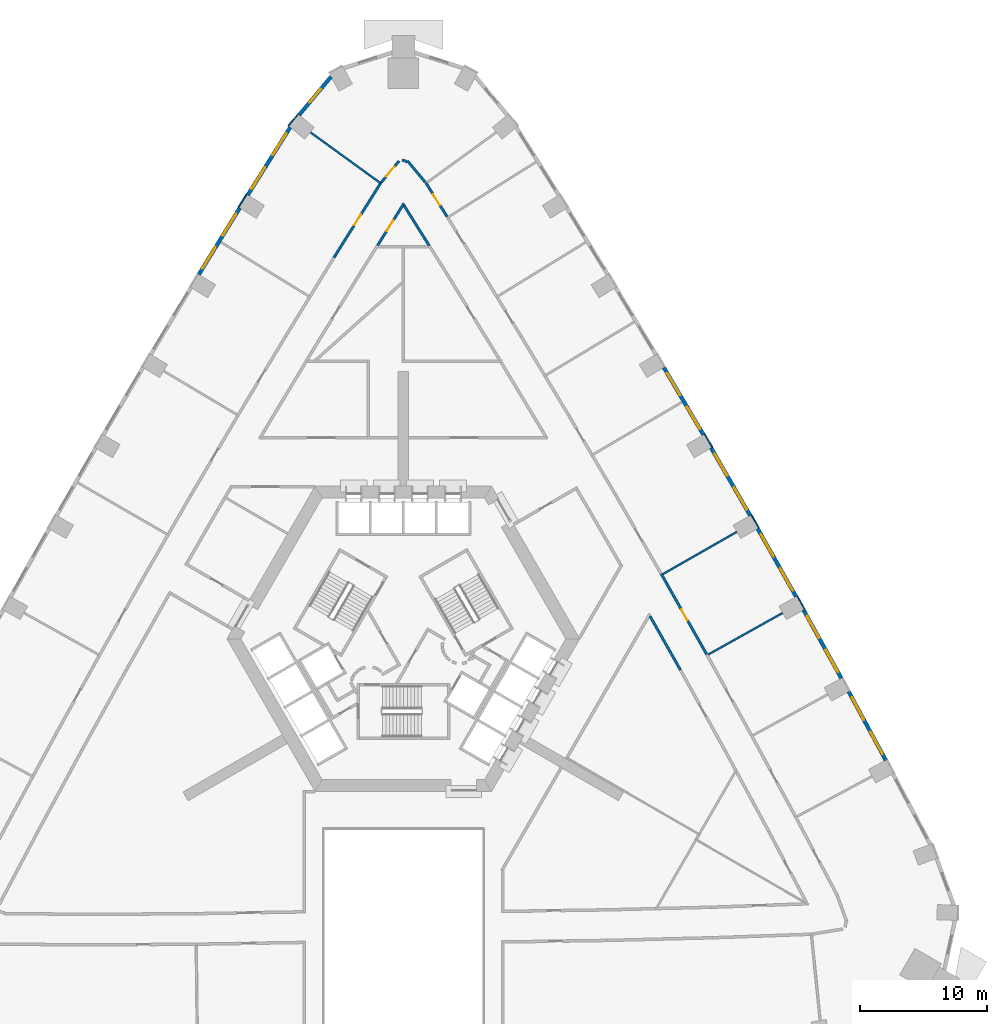
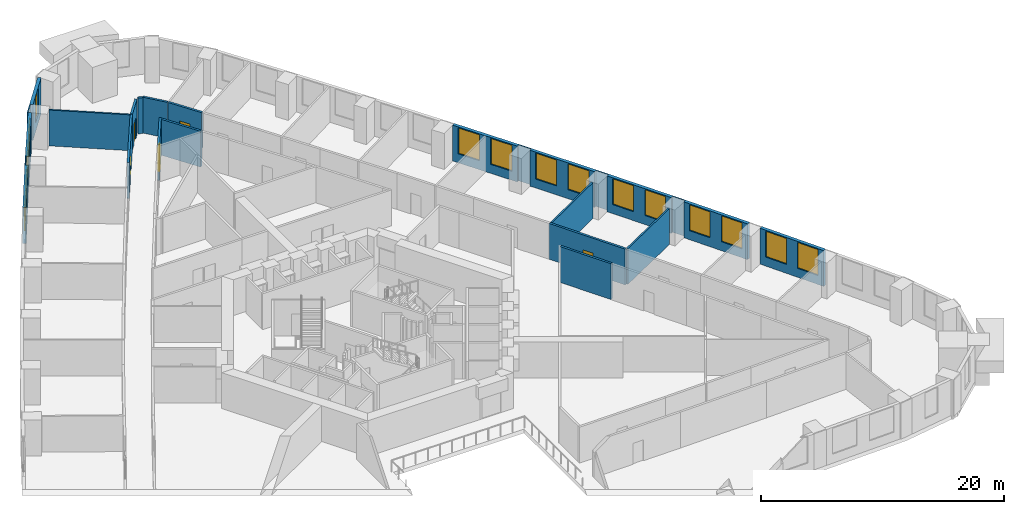
# One storey, part 11 of 15: 25 walls, 15 windows, 5 doors, 20 openings.
"""IFC4 building model written with IfcOpenShell, lengths in metres."""

from ifc_helpers import new_model, si_unit, direction, frame, frame_2d, origin, place, context, subcontext, project, spatial, rectangle, extrude, material, layer, layer_set, type_object, element, fill, save


model = new_model("IFC4")

# Units and contexts
model_context = context("Model", 3, precision=1e-05, world=origin(), true_north=direction((0.0, 1.0)))
body_context = subcontext(model_context, "Body", "Model", "MODEL_VIEW")
ifc_project = project(units=[si_unit("LENGTHUNIT", "METRE"), si_unit("AREAUNIT", "SQUARE_METRE"), si_unit("VOLUMEUNIT", "CUBIC_METRE"), si_unit("PLANEANGLEUNIT", "RADIAN"), si_unit("MASSUNIT", "GRAM", prefix="KILO")], contexts=[model_context])

# Site, building, storey
site_placement = place(None, origin())
site = spatial("IfcSite", under=ifc_project, at=site_placement, CompositionType="ELEMENT")
building_placement = place(site_placement, origin())
building = spatial("IfcBuilding", under=site, at=building_placement, Name="Entoto Arch Interchange Tower", CompositionType="ELEMENT")
storey_placement = place(building_placement, frame((0.0, 0.0, 77.0)))
storey = spatial("IfcBuildingStorey", under=building, at=storey_placement, Name="L16", CompositionType="ELEMENT", Elevation=77.0)

# Walls
ifc_material_1 = material(Name="Gypsum board partition on steel studs", Category="steel")
ifc_layer_1 = layer(ifc_material_1, 0.14990234375)
ifc_layer_set_1 = layer_set([ifc_layer_1], Name="Gypsum board partition on steel studs")
wall_type_1 = type_object("IfcWallType", Name="PARTITION 150", PredefinedType="PARTITIONING", material=ifc_layer_set_1)
wall_1_placement = place(storey_placement, frame((23.950927734375, 1.26611328125, 0.0), z_axis=(0.0, 0.0, 1.0), x_axis=(0.872786908026, 0.488101437385, 0.0)))
element("IfcWall", 1, at=wall_1_placement, inside=storey, type_object=wall_type_1, Name="wall:L16:p135", PredefinedType="PARTITIONING", context=body_context, shape_type="SweptSolid", body=[
    extrude(rectangle(XDim=6.680908203125, YDim=0.14990234375, at=frame_2d((3.34033203125, 0.0))), origin(), (0.0, 0.0, 1.0), 3.60009765625),
])
wall_2_placement = place(storey_placement, frame((20.382080078125, 7.580078125, 0.0), z_axis=(0.0, 0.0, 1.0), x_axis=(0.868256636797, 0.496115321935, 0.0)))
element("IfcWall", 2, at=wall_2_placement, inside=storey, type_object=wall_type_1, Name="wall:L16:p136", PredefinedType="PARTITIONING", context=body_context, shape_type="SweptSolid", body=[
    extrude(rectangle(XDim=6.679931640625, YDim=0.14990234375, at=frame_2d((3.33984375, 0.0))), origin(), (0.0, 0.0, 1.0), 3.60009765625),
])
wall_3_placement = place(storey_placement, frame((-1.7880859375, 38.2890625, 0.0), z_axis=(0.0, 0.0, 1.0), x_axis=(-0.809417495555, 0.587233614408, 0.0)))
element("IfcWall", 3, at=wall_3_placement, inside=storey, type_object=wall_type_1, Name="wall:L16:p142", PredefinedType="PARTITIONING", context=body_context, shape_type="SweptSolid", body=[
    extrude(rectangle(XDim=6.796142578125, YDim=0.14990234375, at=frame_2d((3.39794921875, 0.0))), origin(), (0.0, 0.0, 1.0), 3.60009765625),
])
ifc_layer_2 = layer(ifc_material_1, 0.199951171875)
ifc_layer_set_2 = layer_set([ifc_layer_2], Name="Gypsum board partition on steel studs")
wall_type_2 = type_object("IfcWallType", Name="PARTITION 200", PredefinedType="PARTITIONING", material=ifc_layer_set_2)
wall_4_placement = place(storey_placement, frame((2.031005859375, 33.385009765625, 0.0), z_axis=(0.0, 0.0, 1.0), x_axis=(-0.53130100335, 0.847183122967, 0.0)))
element("IfcWall", 4, at=wall_4_placement, inside=storey, type_object=wall_type_2, Name="wall:L16:p018", PredefinedType="PARTITIONING", context=body_context, shape_type="SweptSolid", body=[
    extrude(rectangle(XDim=3.722900390625, YDim=0.199951171875, at=frame_2d((1.861328125, 0.0))), origin(), (0.0, 0.0, 1.0), 3.60009765625),
])

# Wall, opening, door
wall_5_placement = place(storey_placement, frame((0.052978515625, 36.7080078125, 0.0), z_axis=(0.0, 0.0, 1.0), x_axis=(-0.53130190932, -0.847182554797, 0.0)))
wall_5 = element("IfcWall", 5, at=wall_5_placement, inside=storey, type_object=wall_type_2, Name="wall:L16:p019", PredefinedType="PARTITIONING", context=body_context, shape_type="SweptSolid", body=[
    extrude(rectangle(XDim=3.92236328125, YDim=0.199951171875, at=frame_2d((1.961181640625, 0.0))), origin(), (0.0, 0.0, 1.0), 3.60009765625),
])
opening_1_placement = place(wall_5_placement, frame((1.56201171875, 0.0, 0.0)))
opening_1 = element("IfcOpeningElement", 6, at=opening_1_placement, cuts=wall_5, Name="Opening L16-D28", PredefinedType="OPENING", context=body_context, shape_type="SweptSolid", body=[
    extrude(rectangle(XDim=1.0, YDim=2.10009765625, at=frame_2d((0.5, 1.050048828125))), frame((0.0, 0.10986328125, 0.0), z_axis=(0.0, -1.0, 0.0), x_axis=(1.0, 0.0, 0.0)), (0.0, 0.0, 1.0), 0.219970703125),
])
ifc_material_2 = material(Name="Timber door leaf in Steel S235 frame", Category="steel")
door_type = type_object("IfcDoorType", Name="DOOR DS-10 1000x2100", OperationType="SINGLE_SWING_LEFT", PredefinedType="DOOR", material=ifc_material_2)
door_1_placement = place(opening_1_placement, origin())
door_1 = element("IfcDoor", 7, at=door_1_placement, inside=storey, type_object=door_type, Name="door:L16:28", OperationType="SINGLE_SWING_LEFT", OverallHeight=2.10009765625, OverallWidth=1.0, PredefinedType="DOOR", context=body_context, shape_type="SweptSolid", body=[
    extrude(rectangle(XDim=1.0, YDim=2.10009765625, at=frame_2d((0.5, 1.050048828125))), frame((0.0, 0.02490234375, 0.0), z_axis=(0.0, -1.0, 0.0), x_axis=(1.0, 0.0, 0.0)), (0.0, 0.0, 1.0), 0.050048828125),
])
fill(opening_1, door_1)

# Wall
wall_6_placement = place(storey_placement, frame((21.77001953125, 0.0458984375, 0.0), z_axis=(0.0, 0.0, 1.0), x_axis=(-0.492148137455, 0.870511465059, 0.0)))
element("IfcWall", 8, at=wall_6_placement, inside=storey, type_object=wall_type_2, Name="wall:L16:p024", PredefinedType="PARTITIONING", context=body_context, shape_type="SweptSolid", body=[
    extrude(rectangle(XDim=4.868408203125, YDim=0.199951171875, at=frame_2d((2.43408203125, 0.0))), origin(), (0.0, 0.0, 1.0), 3.60009765625),
])

# Wall, opening, door
wall_7_placement = place(storey_placement, frame((20.259033203125, 7.595947265625, 0.0), z_axis=(0.0, 0.0, 1.0), x_axis=(0.492021755503, -0.870582903641, 0.0)))
wall_7 = element("IfcWall", 9, at=wall_7_placement, inside=storey, type_object=wall_type_2, Name="wall:L16:p047", PredefinedType="PARTITIONING", context=body_context, shape_type="SweptSolid", body=[
    extrude(rectangle(XDim=7.25146484375, YDim=0.199951171875, at=frame_2d((3.625732421875, 0.0))), origin(), (0.0, 0.0, 1.0), 3.60009765625),
])
opening_2_placement = place(wall_7_placement, frame((3.200927734375, 0.0, 0.0)))
opening_2 = element("IfcOpeningElement", 10, at=opening_2_placement, cuts=wall_7, Name="Opening L16-D05", PredefinedType="OPENING", context=body_context, shape_type="SweptSolid", body=[
    extrude(rectangle(XDim=1.0, YDim=2.10009765625, at=frame_2d((0.5, 1.050048828125))), frame((0.0, 0.10986328125, 0.0), z_axis=(0.0, -1.0, 0.0), x_axis=(1.0, 0.0, 0.0)), (0.0, 0.0, 1.0), 0.219970703125),
])
door_2_placement = place(opening_2_placement, origin())
door_2 = element("IfcDoor", 11, at=door_2_placement, inside=storey, type_object=door_type, Name="door:L16:05", OperationType="SINGLE_SWING_LEFT", OverallHeight=2.10009765625, OverallWidth=1.0, PredefinedType="DOOR", context=body_context, shape_type="SweptSolid", body=[
    extrude(rectangle(XDim=1.0, YDim=2.10009765625, at=frame_2d((0.5, 1.050048828125))), frame((0.0, 0.02490234375, 0.0), z_axis=(0.0, -1.0, 0.0), x_axis=(1.0, 0.0, 0.0)), (0.0, 0.0, 1.0), 0.050048828125),
])
fill(opening_2, door_2)

wall_8_placement = place(storey_placement, frame((1.77490234375, 38.31005859375, 0.0), z_axis=(0.0, 0.0, 1.0), x_axis=(0.531324164807, -0.847168597088, 0.0)))
wall_8 = element("IfcWall", 12, at=wall_8_placement, inside=storey, type_object=wall_type_2, Name="wall:L16:p056", PredefinedType="PARTITIONING", context=body_context, shape_type="SweptSolid", body=[
    extrude(rectangle(XDim=3.128173828125, YDim=0.199951171875, at=frame_2d((1.56396484375, 0.0))), origin(), (0.0, 0.0, 1.0), 3.60009765625),
])
opening_3_placement = place(wall_8_placement, frame((1.06396484375, 0.0, 0.0)))
opening_3 = element("IfcOpeningElement", 13, at=opening_3_placement, cuts=wall_8, Name="Opening L16-D10", PredefinedType="OPENING", context=body_context, shape_type="SweptSolid", body=[
    extrude(rectangle(XDim=1.0, YDim=2.10009765625, at=frame_2d((0.5, 1.050048828125))), frame((0.0, 0.10986328125, 0.0), z_axis=(0.0, -1.0, 0.0), x_axis=(1.0, 0.0, 0.0)), (0.0, 0.0, 1.0), 0.219970703125),
])
door_3_placement = place(opening_3_placement, origin())
door_3 = element("IfcDoor", 14, at=door_3_placement, inside=storey, type_object=door_type, Name="door:L16:10", OperationType="SINGLE_SWING_LEFT", OverallHeight=2.10009765625, OverallWidth=1.0, PredefinedType="DOOR", context=body_context, shape_type="SweptSolid", body=[
    extrude(rectangle(XDim=1.0, YDim=2.10009765625, at=frame_2d((0.5, 1.050048828125))), frame((0.0, 0.02490234375, 0.0), z_axis=(0.0, -1.0, 0.0), x_axis=(1.0, 0.0, 0.0)), (0.0, 0.0, 1.0), 0.050048828125),
])
fill(opening_3, door_3)

wall_9_placement = place(storey_placement, frame((-1.72412109375, 38.364990234375, 0.0), z_axis=(0.0, 0.0, 1.0), x_axis=(0.64036162185, 0.768073559799, 0.0)))
wall_9 = element("IfcWall", 15, at=wall_9_placement, inside=storey, type_object=wall_type_2, Name="wall:L16:p057", PredefinedType="PARTITIONING", context=body_context, shape_type="SweptSolid", body=[
    extrude(rectangle(XDim=2.167724609375, YDim=0.199951171875, at=frame_2d((1.083984375, 0.0))), origin(), (0.0, 0.0, 1.0), 3.60009765625),
])
opening_4_placement = place(wall_9_placement, frame((0.583984375, 0.0, 0.0)))
opening_4 = element("IfcOpeningElement", 16, at=opening_4_placement, cuts=wall_9, Name="Opening L16-D11", PredefinedType="OPENING", context=body_context, shape_type="SweptSolid", body=[
    extrude(rectangle(XDim=1.0, YDim=2.10009765625, at=frame_2d((0.5, 1.050048828125))), frame((0.0, 0.10986328125, 0.0), z_axis=(0.0, -1.0, 0.0), x_axis=(1.0, 0.0, 0.0)), (0.0, 0.0, 1.0), 0.219970703125),
])
door_4_placement = place(opening_4_placement, origin())
door_4 = element("IfcDoor", 17, at=door_4_placement, inside=storey, type_object=door_type, Name="door:L16:11", OperationType="SINGLE_SWING_LEFT", OverallHeight=2.10009765625, OverallWidth=1.0, PredefinedType="DOOR", context=body_context, shape_type="SweptSolid", body=[
    extrude(rectangle(XDim=1.0, YDim=2.10009765625, at=frame_2d((0.5, 1.050048828125))), frame((0.0, 0.02490234375, 0.0), z_axis=(0.0, -1.0, 0.0), x_axis=(1.0, 0.0, 0.0)), (0.0, 0.0, 1.0), 0.050048828125),
])
fill(opening_4, door_4)

# Walls
wall_10_placement = place(storey_placement, frame((-0.094970703125, 40.112060546875, 0.0), z_axis=(0.0, 0.0, 1.0), x_axis=(0.952282288042, -0.305218682065, 0.0)))
element("IfcWall", 18, at=wall_10_placement, inside=storey, type_object=wall_type_2, Name="wall:L16:p058", PredefinedType="PARTITIONING", context=body_context, shape_type="SweptSolid", body=[
    extrude(rectangle(XDim=0.419921875, YDim=0.199951171875, at=frame_2d((0.2099609375, 0.0))), origin(), (0.0, 0.0, 1.0), 3.60009765625),
])
wall_11_placement = place(storey_placement, frame((0.3359375, 40.030029296875, 0.0), z_axis=(0.0, 0.0, 1.0), x_axis=(0.64036162185, -0.768073559799, 0.0)))
element("IfcWall", 19, at=wall_11_placement, inside=storey, type_object=wall_type_2, Name="wall:L16:p059", PredefinedType="PARTITIONING", context=body_context, shape_type="SweptSolid", body=[
    extrude(rectangle(XDim=2.167724609375, YDim=0.199951171875, at=frame_2d((1.083984375, 0.0))), origin(), (0.0, 0.0, 1.0), 3.60009765625),
])

# Wall, opening, door
wall_12_placement = place(storey_placement, frame((-5.449951171875, 32.450927734375, 0.0), z_axis=(0.0, 0.0, 1.0), x_axis=(0.531388870359, 0.847128011849, 0.0)))
wall_12 = element("IfcWall", 20, at=wall_12_placement, inside=storey, type_object=wall_type_2, Name="wall:L16:p061", PredefinedType="PARTITIONING", context=body_context, shape_type="SweptSolid", body=[
    extrude(rectangle(XDim=6.99072265625, YDim=0.199951171875, at=frame_2d((3.495361328125, 0.0))), origin(), (0.0, 0.0, 1.0), 3.60009765625),
])
opening_5_placement = place(wall_12_placement, frame((2.99609375, 0.0, 0.0)))
opening_5 = element("IfcOpeningElement", 21, at=opening_5_placement, cuts=wall_12, Name="Opening L16-D12", PredefinedType="OPENING", context=body_context, shape_type="SweptSolid", body=[
    extrude(rectangle(XDim=1.0, YDim=2.10009765625, at=frame_2d((0.5, 1.050048828125))), frame((0.0, 0.10986328125, 0.0), z_axis=(0.0, -1.0, 0.0), x_axis=(1.0, 0.0, 0.0)), (0.0, 0.0, 1.0), 0.219970703125),
])
door_5_placement = place(opening_5_placement, origin())
door_5 = element("IfcDoor", 22, at=door_5_placement, inside=storey, type_object=door_type, Name="door:L16:12", OperationType="SINGLE_SWING_LEFT", OverallHeight=2.10009765625, OverallWidth=1.0, PredefinedType="DOOR", context=body_context, shape_type="SweptSolid", body=[
    extrude(rectangle(XDim=1.0, YDim=2.10009765625, at=frame_2d((0.5, 1.050048828125))), frame((0.0, 0.02490234375, 0.0), z_axis=(0.0, -1.0, 0.0), x_axis=(1.0, 0.0, 0.0)), (0.0, 0.0, 1.0), 0.050048828125),
])
fill(opening_5, door_5)

# Wall, openings, windows
ifc_material_3 = material(Name="Welded tuff (ignimbrite) cladding, warm buff", Category="masonry")
ifc_layer_3 = layer(ifc_material_3, 0.300048828125)
ifc_layer_set_3 = layer_set([ifc_layer_3], Name="Welded tuff (ignimbrite) cladding, warm buff")
wall_type_3 = type_object("IfcWallType", Name="STONE INFILL WALL 300", PredefinedType="STANDARD", material=ifc_layer_set_3)
wall_13_placement = place(storey_placement, frame((37.903076171875, -7.035888671875, 0.0), z_axis=(0.0, 0.0, 1.0), x_axis=(-0.476174096946, 0.879351027404, 0.0)))
wall_13 = element("IfcWall", 23, at=wall_13_placement, inside=storey, type_object=wall_type_3, Name="Facade wall NE-02 L16", PredefinedType="STANDARD", context=body_context, shape_type="SweptSolid", body=[
    extrude(rectangle(XDim=6.130615234375, YDim=0.300048828125, at=frame_2d((3.0654296875, 0.0))), origin(), (0.0, 0.0, 1.0), 3.60009765625),
])
opening_6_placement = place(wall_13_placement, frame((0.532958984375, 0.0, 0.89990234375)))
opening_6 = element("IfcOpeningElement", 24, at=opening_6_placement, cuts=wall_13, Name="Opening WO-C", PredefinedType="OPENING", context=body_context, shape_type="SweptSolid", body=[
    extrude(rectangle(XDim=2.0, YDim=2.60009765625, at=frame_2d((1.0, 1.300048828125))), frame((0.0, 0.16015625, 0.0), z_axis=(0.0, -1.0, 0.0), x_axis=(1.0, 0.0, 0.0)), (0.0, 0.0, 1.0), 0.320068359375),
])
opening_7_placement = place(wall_13_placement, frame((3.597900390625, 0.0, 0.89990234375)))
opening_7 = element("IfcOpeningElement", 25, at=opening_7_placement, cuts=wall_13, Name="Opening WO-C", PredefinedType="OPENING", context=body_context, shape_type="SweptSolid", body=[
    extrude(rectangle(XDim=2.0, YDim=2.60009765625, at=frame_2d((1.0, 1.300048828125))), frame((0.0, 0.16015625, 0.0), z_axis=(0.0, -1.0, 0.0), x_axis=(1.0, 0.0, 0.0)), (0.0, 0.0, 1.0), 0.320068359375),
])
ifc_material_4 = material(Name="Clear glass, low-e double glazed", Category="glass")
window_type_1 = type_object("IfcWindowType", Name="WINDOW WO-C 2000x2600", PartitioningType="DOUBLE_PANEL_VERTICAL", PredefinedType="WINDOW", material=ifc_material_4)
window_1_placement = place(opening_6_placement, origin())
window_1 = element("IfcWindow", 26, at=window_1_placement, inside=storey, type_object=window_type_1, Name="Window WO-C NE-02 L16", OverallHeight=2.60009765625, OverallWidth=2.0, PartitioningType="SINGLE_PANEL", PredefinedType="WINDOW", context=body_context, shape_type="SweptSolid", body=[
    extrude(rectangle(XDim=2.0, YDim=2.60009765625, at=frame_2d((1.0, 1.300048828125))), frame((0.0, 0.030029296875, 0.0), z_axis=(0.0, -1.0, 0.0), x_axis=(1.0, 0.0, 0.0)), (0.0, 0.0, 1.0), 0.06005859375),
])
fill(opening_6, window_1)
window_2_placement = place(opening_7_placement, origin())
window_2 = element("IfcWindow", 27, at=window_2_placement, inside=storey, type_object=window_type_1, Name="Window WO-C NE-02 L16", OverallHeight=2.60009765625, OverallWidth=2.0, PartitioningType="SINGLE_PANEL", PredefinedType="WINDOW", context=body_context, shape_type="SweptSolid", body=[
    extrude(rectangle(XDim=2.0, YDim=2.60009765625, at=frame_2d((1.0, 1.300048828125))), frame((0.0, 0.030029296875, 0.0), z_axis=(0.0, -1.0, 0.0), x_axis=(1.0, 0.0, 0.0)), (0.0, 0.0, 1.0), 0.06005859375),
])
fill(opening_7, window_2)

wall_14_placement = place(storey_placement, frame((34.408935546875, -0.594970703125, 0.0), z_axis=(0.0, 0.0, 1.0), x_axis=(-0.484025698618, 0.875053782963, 0.0)))
wall_14 = element("IfcWall", 28, at=wall_14_placement, inside=storey, type_object=wall_type_3, Name="Facade wall NE-03 L16", PredefinedType="STANDARD", context=body_context, shape_type="SweptSolid", body=[
    extrude(rectangle(XDim=6.1298828125, YDim=0.300048828125, at=frame_2d((3.06494140625, 0.0))), origin(), (0.0, 0.0, 1.0), 3.60009765625),
])
opening_8_placement = place(wall_14_placement, frame((0.531982421875, 0.0, 0.89990234375)))
opening_8 = element("IfcOpeningElement", 29, at=opening_8_placement, cuts=wall_14, Name="Opening WO-C", PredefinedType="OPENING", context=body_context, shape_type="SweptSolid", body=[
    extrude(rectangle(XDim=2.0, YDim=2.60009765625, at=frame_2d((1.0, 1.300048828125))), frame((0.0, 0.16015625, 0.0), z_axis=(0.0, -1.0, 0.0), x_axis=(1.0, 0.0, 0.0)), (0.0, 0.0, 1.0), 0.320068359375),
])
opening_9_placement = place(wall_14_placement, frame((3.596923828125, 0.0, 0.89990234375)))
opening_9 = element("IfcOpeningElement", 30, at=opening_9_placement, cuts=wall_14, Name="Opening WO-C", PredefinedType="OPENING", context=body_context, shape_type="SweptSolid", body=[
    extrude(rectangle(XDim=2.0, YDim=2.60009765625, at=frame_2d((1.0, 1.300048828125))), frame((0.0, 0.16015625, 0.0), z_axis=(0.0, -1.0, 0.0), x_axis=(1.0, 0.0, 0.0)), (0.0, 0.0, 1.0), 0.320068359375),
])
window_3_placement = place(opening_8_placement, origin())
window_3 = element("IfcWindow", 31, at=window_3_placement, inside=storey, type_object=window_type_1, Name="Window WO-C NE-03 L16", OverallHeight=2.60009765625, OverallWidth=2.0, PartitioningType="SINGLE_PANEL", PredefinedType="WINDOW", context=body_context, shape_type="SweptSolid", body=[
    extrude(rectangle(XDim=2.0, YDim=2.60009765625, at=frame_2d((1.0, 1.300048828125))), frame((0.0, 0.030029296875, 0.0), z_axis=(0.0, -1.0, 0.0), x_axis=(1.0, 0.0, 0.0)), (0.0, 0.0, 1.0), 0.06005859375),
])
fill(opening_8, window_3)
window_4_placement = place(opening_9_placement, origin())
window_4 = element("IfcWindow", 32, at=window_4_placement, inside=storey, type_object=window_type_1, Name="Window WO-C NE-03 L16", OverallHeight=2.60009765625, OverallWidth=2.0, PartitioningType="SINGLE_PANEL", PredefinedType="WINDOW", context=body_context, shape_type="SweptSolid", body=[
    extrude(rectangle(XDim=2.0, YDim=2.60009765625, at=frame_2d((1.0, 1.300048828125))), frame((0.0, 0.030029296875, 0.0), z_axis=(0.0, -1.0, 0.0), x_axis=(1.0, 0.0, 0.0)), (0.0, 0.0, 1.0), 0.06005859375),
])
fill(opening_9, window_4)

wall_15_placement = place(storey_placement, frame((30.85693359375, 5.81396484375, 0.0), z_axis=(0.0, 0.0, 1.0), x_axis=(-0.492097935349, 0.870539845168, 0.0)))
wall_15 = element("IfcWall", 33, at=wall_15_placement, inside=storey, type_object=wall_type_3, Name="Facade wall NE-04 L16", PredefinedType="STANDARD", context=body_context, shape_type="SweptSolid", body=[
    extrude(rectangle(XDim=6.130615234375, YDim=0.300048828125, at=frame_2d((3.0654296875, 0.0))), origin(), (0.0, 0.0, 1.0), 3.60009765625),
])
opening_10_placement = place(wall_15_placement, frame((0.532958984375, 0.0, 0.89990234375)))
opening_10 = element("IfcOpeningElement", 34, at=opening_10_placement, cuts=wall_15, Name="Opening WO-C", PredefinedType="OPENING", context=body_context, shape_type="SweptSolid", body=[
    extrude(rectangle(XDim=2.0, YDim=2.60009765625, at=frame_2d((1.0, 1.300048828125))), frame((0.0, 0.16015625, 0.0), z_axis=(0.0, -1.0, 0.0), x_axis=(1.0, 0.0, 0.0)), (0.0, 0.0, 1.0), 0.320068359375),
])
opening_11_placement = place(wall_15_placement, frame((3.597900390625, 0.0, 0.89990234375)))
opening_11 = element("IfcOpeningElement", 35, at=opening_11_placement, cuts=wall_15, Name="Opening WO-C", PredefinedType="OPENING", context=body_context, shape_type="SweptSolid", body=[
    extrude(rectangle(XDim=2.0, YDim=2.60009765625, at=frame_2d((1.0, 1.300048828125))), frame((0.0, 0.16015625, 0.0), z_axis=(0.0, -1.0, 0.0), x_axis=(1.0, 0.0, 0.0)), (0.0, 0.0, 1.0), 0.320068359375),
])
window_5_placement = place(opening_10_placement, origin())
window_5 = element("IfcWindow", 36, at=window_5_placement, inside=storey, type_object=window_type_1, Name="Window WO-C NE-04 L16", OverallHeight=2.60009765625, OverallWidth=2.0, PartitioningType="SINGLE_PANEL", PredefinedType="WINDOW", context=body_context, shape_type="SweptSolid", body=[
    extrude(rectangle(XDim=2.0, YDim=2.60009765625, at=frame_2d((1.0, 1.300048828125))), frame((0.0, 0.030029296875, 0.0), z_axis=(0.0, -1.0, 0.0), x_axis=(1.0, 0.0, 0.0)), (0.0, 0.0, 1.0), 0.06005859375),
])
fill(opening_10, window_5)
window_6_placement = place(opening_11_placement, origin())
window_6 = element("IfcWindow", 37, at=window_6_placement, inside=storey, type_object=window_type_1, Name="Window WO-C NE-04 L16", OverallHeight=2.60009765625, OverallWidth=2.0, PartitioningType="SINGLE_PANEL", PredefinedType="WINDOW", context=body_context, shape_type="SweptSolid", body=[
    extrude(rectangle(XDim=2.0, YDim=2.60009765625, at=frame_2d((1.0, 1.300048828125))), frame((0.0, 0.030029296875, 0.0), z_axis=(0.0, -1.0, 0.0), x_axis=(1.0, 0.0, 0.0)), (0.0, 0.0, 1.0), 0.06005859375),
])
fill(opening_11, window_6)

wall_16_placement = place(storey_placement, frame((27.24609375, 12.19091796875, 0.0), z_axis=(0.0, 0.0, 1.0), x_axis=(-0.499998239139, 0.866026420416, 0.0)))
wall_16 = element("IfcWall", 38, at=wall_16_placement, inside=storey, type_object=wall_type_3, Name="Facade wall NE-05 L16", PredefinedType="STANDARD", context=body_context, shape_type="SweptSolid", body=[
    extrude(rectangle(XDim=6.13037109375, YDim=0.300048828125, at=frame_2d((3.065185546875, 0.0))), origin(), (0.0, 0.0, 1.0), 3.60009765625),
])
opening_12_placement = place(wall_16_placement, frame((0.532958984375, 0.0, 0.89990234375)))
opening_12 = element("IfcOpeningElement", 39, at=opening_12_placement, cuts=wall_16, Name="Opening WO-C", PredefinedType="OPENING", context=body_context, shape_type="SweptSolid", body=[
    extrude(rectangle(XDim=2.0, YDim=2.60009765625, at=frame_2d((1.0, 1.300048828125))), frame((0.0, 0.16015625, 0.0), z_axis=(0.0, -1.0, 0.0), x_axis=(1.0, 0.0, 0.0)), (0.0, 0.0, 1.0), 0.320068359375),
])
opening_13_placement = place(wall_16_placement, frame((3.597900390625, 0.0, 0.89990234375)))
opening_13 = element("IfcOpeningElement", 40, at=opening_13_placement, cuts=wall_16, Name="Opening WO-C", PredefinedType="OPENING", context=body_context, shape_type="SweptSolid", body=[
    extrude(rectangle(XDim=2.0, YDim=2.60009765625, at=frame_2d((1.0, 1.300048828125))), frame((0.0, 0.16015625, 0.0), z_axis=(0.0, -1.0, 0.0), x_axis=(1.0, 0.0, 0.0)), (0.0, 0.0, 1.0), 0.320068359375),
])
window_7_placement = place(opening_12_placement, origin())
window_7 = element("IfcWindow", 41, at=window_7_placement, inside=storey, type_object=window_type_1, Name="Window WO-C NE-05 L16", OverallHeight=2.60009765625, OverallWidth=2.0, PartitioningType="SINGLE_PANEL", PredefinedType="WINDOW", context=body_context, shape_type="SweptSolid", body=[
    extrude(rectangle(XDim=2.0, YDim=2.60009765625, at=frame_2d((1.0, 1.300048828125))), frame((0.0, 0.030029296875, 0.0), z_axis=(0.0, -1.0, 0.0), x_axis=(1.0, 0.0, 0.0)), (0.0, 0.0, 1.0), 0.06005859375),
])
fill(opening_12, window_7)
window_8_placement = place(opening_13_placement, origin())
window_8 = element("IfcWindow", 42, at=window_8_placement, inside=storey, type_object=window_type_1, Name="Window WO-C NE-05 L16", OverallHeight=2.60009765625, OverallWidth=2.0, PartitioningType="SINGLE_PANEL", PredefinedType="WINDOW", context=body_context, shape_type="SweptSolid", body=[
    extrude(rectangle(XDim=2.0, YDim=2.60009765625, at=frame_2d((1.0, 1.300048828125))), frame((0.0, 0.030029296875, 0.0), z_axis=(0.0, -1.0, 0.0), x_axis=(1.0, 0.0, 0.0)), (0.0, 0.0, 1.0), 0.06005859375),
])
fill(opening_13, window_8)

wall_17_placement = place(storey_placement, frame((23.576904296875, 18.533935546875, 0.0), z_axis=(0.0, 0.0, 1.0), x_axis=(-0.507716058644, 0.861524465001, 0.0)))
wall_17 = element("IfcWall", 43, at=wall_17_placement, inside=storey, type_object=wall_type_3, Name="Facade wall NE-06 L16", PredefinedType="STANDARD", context=body_context, shape_type="SweptSolid", body=[
    extrude(rectangle(XDim=6.130859375, YDim=0.300048828125, at=frame_2d((3.0654296875, 0.0))), origin(), (0.0, 0.0, 1.0), 3.60009765625),
])
opening_14_placement = place(wall_17_placement, frame((0.532958984375, 0.0, 0.89990234375)))
opening_14 = element("IfcOpeningElement", 44, at=opening_14_placement, cuts=wall_17, Name="Opening WO-C", PredefinedType="OPENING", context=body_context, shape_type="SweptSolid", body=[
    extrude(rectangle(XDim=2.0, YDim=2.60009765625, at=frame_2d((1.0, 1.300048828125))), frame((0.0, 0.16015625, 0.0), z_axis=(0.0, -1.0, 0.0), x_axis=(1.0, 0.0, 0.0)), (0.0, 0.0, 1.0), 0.320068359375),
])
opening_15_placement = place(wall_17_placement, frame((3.597900390625, 0.0, 0.89990234375)))
opening_15 = element("IfcOpeningElement", 45, at=opening_15_placement, cuts=wall_17, Name="Opening WO-C", PredefinedType="OPENING", context=body_context, shape_type="SweptSolid", body=[
    extrude(rectangle(XDim=2.0, YDim=2.60009765625, at=frame_2d((1.0, 1.300048828125))), frame((0.0, 0.16015625, 0.0), z_axis=(0.0, -1.0, 0.0), x_axis=(1.0, 0.0, 0.0)), (0.0, 0.0, 1.0), 0.320068359375),
])
window_9_placement = place(opening_14_placement, origin())
window_9 = element("IfcWindow", 46, at=window_9_placement, inside=storey, type_object=window_type_1, Name="Window WO-C NE-06 L16", OverallHeight=2.60009765625, OverallWidth=2.0, PartitioningType="SINGLE_PANEL", PredefinedType="WINDOW", context=body_context, shape_type="SweptSolid", body=[
    extrude(rectangle(XDim=2.0, YDim=2.60009765625, at=frame_2d((1.0, 1.300048828125))), frame((0.0, 0.030029296875, 0.0), z_axis=(0.0, -1.0, 0.0), x_axis=(1.0, 0.0, 0.0)), (0.0, 0.0, 1.0), 0.06005859375),
])
fill(opening_14, window_9)
window_10_placement = place(opening_15_placement, origin())
window_10 = element("IfcWindow", 47, at=window_10_placement, inside=storey, type_object=window_type_1, Name="Window WO-C NE-06 L16", OverallHeight=2.60009765625, OverallWidth=2.0, PartitioningType="SINGLE_PANEL", PredefinedType="WINDOW", context=body_context, shape_type="SweptSolid", body=[
    extrude(rectangle(XDim=2.0, YDim=2.60009765625, at=frame_2d((1.0, 1.300048828125))), frame((0.0, 0.030029296875, 0.0), z_axis=(0.0, -1.0, 0.0), x_axis=(1.0, 0.0, 0.0)), (0.0, 0.0, 1.0), 0.06005859375),
])
fill(opening_15, window_10)

# Wall, opening, window
wall_18_placement = place(storey_placement, frame((-5.680908203125, 46.657958984375, 0.0), z_axis=(0.0, 0.0, 1.0), x_axis=(-0.640565172846, -0.767903808649, 0.0)))
wall_18 = element("IfcWall", 48, at=wall_18_placement, inside=storey, type_object=wall_type_3, Name="Facade wall N-04 L16", PredefinedType="STANDARD", context=body_context, shape_type="SweptSolid", body=[
    extrude(rectangle(XDim=3.9091796875, YDim=0.300048828125, at=frame_2d((1.95458984375, 0.0))), origin(), (0.0, 0.0, 1.0), 3.60009765625),
])
opening_16_placement = place(wall_18_placement, frame((1.2548828125, 0.0, 0.89990234375)))
opening_16 = element("IfcOpeningElement", 49, at=opening_16_placement, cuts=wall_18, Name="Opening WO-B", PredefinedType="OPENING", context=body_context, shape_type="SweptSolid", body=[
    extrude(rectangle(XDim=1.39990234375, YDim=2.60009765625, at=frame_2d((0.699951171875, 1.300048828125))), frame((0.0, 0.16015625, 0.0), z_axis=(0.0, -1.0, 0.0), x_axis=(1.0, 0.0, 0.0)), (0.0, 0.0, 1.0), 0.320068359375),
])
window_type_2 = type_object("IfcWindowType", Name="WINDOW WO-B 1400x2600", PartitioningType="DOUBLE_PANEL_VERTICAL", PredefinedType="WINDOW", material=ifc_material_4)
window_11_placement = place(opening_16_placement, origin())
window_11 = element("IfcWindow", 50, at=window_11_placement, inside=storey, type_object=window_type_2, Name="Window WO-B N-04 L16", OverallHeight=2.60009765625, OverallWidth=1.39990234375, PartitioningType="SINGLE_PANEL", PredefinedType="WINDOW", context=body_context, shape_type="SweptSolid", body=[
    extrude(rectangle(XDim=1.39990234375, YDim=2.60009765625, at=frame_2d((0.699951171875, 1.300048828125))), frame((0.0, 0.030029296875, 0.0), z_axis=(0.0, -1.0, 0.0), x_axis=(1.0, 0.0, 0.0)), (0.0, 0.0, 1.0), 0.06005859375),
])
fill(opening_16, window_11)

# Wall, openings, windows
wall_19_placement = place(storey_placement, frame((-8.888916015625, 42.68408203125, 0.0), z_axis=(0.0, 0.0, 1.0), x_axis=(-0.531357111884, -0.847147932565, 0.0)))
wall_19 = element("IfcWall", 51, at=wall_19_placement, inside=storey, type_object=wall_type_3, Name="Facade wall NW-01 L16", PredefinedType="STANDARD", context=body_context, shape_type="SweptSolid", body=[
    extrude(rectangle(XDim=6.2822265625, YDim=0.300048828125, at=frame_2d((3.14111328125, 0.0))), origin(), (0.0, 0.0, 1.0), 3.60009765625),
])
opening_17_placement = place(wall_19_placement, frame((0.571044921875, 0.0, 0.89990234375)))
opening_17 = element("IfcOpeningElement", 52, at=opening_17_placement, cuts=wall_19, Name="Opening WO-C", PredefinedType="OPENING", context=body_context, shape_type="SweptSolid", body=[
    extrude(rectangle(XDim=2.0, YDim=2.60009765625, at=frame_2d((1.0, 1.300048828125))), frame((0.0, 0.16015625, 0.0), z_axis=(0.0, -1.0, 0.0), x_axis=(1.0, 0.0, 0.0)), (0.0, 0.0, 1.0), 0.320068359375),
])
opening_18_placement = place(wall_19_placement, frame((3.7119140625, 0.0, 0.89990234375)))
opening_18 = element("IfcOpeningElement", 53, at=opening_18_placement, cuts=wall_19, Name="Opening WO-C", PredefinedType="OPENING", context=body_context, shape_type="SweptSolid", body=[
    extrude(rectangle(XDim=2.0, YDim=2.60009765625, at=frame_2d((1.0, 1.300048828125))), frame((0.0, 0.16015625, 0.0), z_axis=(0.0, -1.0, 0.0), x_axis=(1.0, 0.0, 0.0)), (0.0, 0.0, 1.0), 0.320068359375),
])
window_12_placement = place(opening_17_placement, origin())
window_12 = element("IfcWindow", 54, at=window_12_placement, inside=storey, type_object=window_type_1, Name="Window WO-C NW-01 L16", OverallHeight=2.60009765625, OverallWidth=2.0, PartitioningType="SINGLE_PANEL", PredefinedType="WINDOW", context=body_context, shape_type="SweptSolid", body=[
    extrude(rectangle(XDim=2.0, YDim=2.60009765625, at=frame_2d((1.0, 1.300048828125))), frame((0.0, 0.030029296875, 0.0), z_axis=(0.0, -1.0, 0.0), x_axis=(1.0, 0.0, 0.0)), (0.0, 0.0, 1.0), 0.06005859375),
])
fill(opening_17, window_12)
window_13_placement = place(opening_18_placement, origin())
window_13 = element("IfcWindow", 55, at=window_13_placement, inside=storey, type_object=window_type_1, Name="Window WO-C NW-01 L16", OverallHeight=2.60009765625, OverallWidth=2.0, PartitioningType="SINGLE_PANEL", PredefinedType="WINDOW", context=body_context, shape_type="SweptSolid", body=[
    extrude(rectangle(XDim=2.0, YDim=2.60009765625, at=frame_2d((1.0, 1.300048828125))), frame((0.0, 0.030029296875, 0.0), z_axis=(0.0, -1.0, 0.0), x_axis=(1.0, 0.0, 0.0)), (0.0, 0.0, 1.0), 0.06005859375),
])
fill(opening_18, window_13)

wall_20_placement = place(storey_placement, frame((-12.85791015625, 36.343994140625, 0.0), z_axis=(0.0, 0.0, 1.0), x_axis=(-0.523421823151, -0.852073702827, 0.0)))
wall_20 = element("IfcWall", 56, at=wall_20_placement, inside=storey, type_object=wall_type_3, Name="Facade wall NW-02 L16", PredefinedType="STANDARD", context=body_context, shape_type="SweptSolid", body=[
    extrude(rectangle(XDim=6.130859375, YDim=0.300048828125, at=frame_2d((3.0654296875, 0.0))), origin(), (0.0, 0.0, 1.0), 3.60009765625),
])
opening_19_placement = place(wall_20_placement, frame((0.532958984375, 0.0, 0.89990234375)))
opening_19 = element("IfcOpeningElement", 57, at=opening_19_placement, cuts=wall_20, Name="Opening WO-C", PredefinedType="OPENING", context=body_context, shape_type="SweptSolid", body=[
    extrude(rectangle(XDim=2.0, YDim=2.60009765625, at=frame_2d((1.0, 1.300048828125))), frame((0.0, 0.16015625, 0.0), z_axis=(0.0, -1.0, 0.0), x_axis=(1.0, 0.0, 0.0)), (0.0, 0.0, 1.0), 0.320068359375),
])
opening_20_placement = place(wall_20_placement, frame((3.597900390625, 0.0, 0.89990234375)))
opening_20 = element("IfcOpeningElement", 58, at=opening_20_placement, cuts=wall_20, Name="Opening WO-C", PredefinedType="OPENING", context=body_context, shape_type="SweptSolid", body=[
    extrude(rectangle(XDim=2.0, YDim=2.60009765625, at=frame_2d((1.0, 1.300048828125))), frame((0.0, 0.16015625, 0.0), z_axis=(0.0, -1.0, 0.0), x_axis=(1.0, 0.0, 0.0)), (0.0, 0.0, 1.0), 0.320068359375),
])
window_14_placement = place(opening_19_placement, origin())
window_14 = element("IfcWindow", 59, at=window_14_placement, inside=storey, type_object=window_type_1, Name="Window WO-C NW-02 L16", OverallHeight=2.60009765625, OverallWidth=2.0, PartitioningType="SINGLE_PANEL", PredefinedType="WINDOW", context=body_context, shape_type="SweptSolid", body=[
    extrude(rectangle(XDim=2.0, YDim=2.60009765625, at=frame_2d((1.0, 1.300048828125))), frame((0.0, 0.030029296875, 0.0), z_axis=(0.0, -1.0, 0.0), x_axis=(1.0, 0.0, 0.0)), (0.0, 0.0, 1.0), 0.06005859375),
])
fill(opening_19, window_14)
window_15_placement = place(opening_20_placement, origin())
window_15 = element("IfcWindow", 60, at=window_15_placement, inside=storey, type_object=window_type_1, Name="Window WO-C NW-02 L16", OverallHeight=2.60009765625, OverallWidth=2.0, PartitioningType="SINGLE_PANEL", PredefinedType="WINDOW", context=body_context, shape_type="SweptSolid", body=[
    extrude(rectangle(XDim=2.0, YDim=2.60009765625, at=frame_2d((1.0, 1.300048828125))), frame((0.0, 0.030029296875, 0.0), z_axis=(0.0, -1.0, 0.0), x_axis=(1.0, 0.0, 0.0)), (0.0, 0.0, 1.0), 0.06005859375),
])
fill(opening_20, window_15)

# Walls
ifc_layer_4 = layer(ifc_material_3, 0.10009765625)
ifc_layer_set_4 = layer_set([ifc_layer_4], Name="Welded tuff (ignimbrite) cladding, warm buff")
wall_type_4 = type_object("IfcWallType", Name="STONE PIER CLADDING 100", PredefinedType="STANDARD", material=ifc_layer_set_4)
wall_21_placement = place(storey_placement, frame((31.531005859375, 4.818115234375, 0.0), z_axis=(0.0, 0.0, 1.0), x_axis=(-0.486817526853, 0.873503689488, 0.0)))
element("IfcWall", 61, at=wall_21_placement, inside=storey, type_object=wall_type_4, Name="Stone pier NE04 L16", PredefinedType="STANDARD", context=body_context, shape_type="SweptSolid", body=[
    extrude(rectangle(XDim=1.19970703125, YDim=0.10009765625, at=frame_2d((0.599853515625, 0.0))), origin(), (0.0, 0.0, 1.0), 3.60009765625),
])
wall_22_placement = place(storey_placement, frame((27.929931640625, 11.200927734375, 0.0), z_axis=(0.0, 0.0, 1.0), x_axis=(-0.495854054996, 0.868405870629, 0.0)))
element("IfcWall", 62, at=wall_22_placement, inside=storey, type_object=wall_type_4, Name="Stone pier NE05 L16", PredefinedType="STANDARD", context=body_context, shape_type="SweptSolid", body=[
    extrude(rectangle(XDim=1.199951171875, YDim=0.10009765625, at=frame_2d((0.60009765625, 0.0))), origin(), (0.0, 0.0, 1.0), 3.60009765625),
])
wall_23_placement = place(storey_placement, frame((24.27001953125, 17.551025390625, 0.0), z_axis=(0.0, 0.0, 1.0), x_axis=(-0.504313844903, 0.863520437418, 0.0)))
element("IfcWall", 63, at=wall_23_placement, inside=storey, type_object=wall_type_4, Name="Stone pier NE06 L16", PredefinedType="STANDARD", context=body_context, shape_type="SweptSolid", body=[
    extrude(rectangle(XDim=1.19970703125, YDim=0.10009765625, at=frame_2d((0.599853515625, 0.0))), origin(), (0.0, 0.0, 1.0), 3.60009765625),
])
for number, where, z_axis, x_axis, name in (
    (64, (-8.262939453125, 43.721923828125, 0.0), (0.0, 0.0, 1.0), (-0.637859244555, -0.770152961518, 0.0), "Stone pier NW01 L16"),
    (65, (-12.31201171875, 37.416015625, 0.0), (0.0, 0.0, 1.0), (-0.53018187123, -0.847883944546, 0.0), "Stone pier NW02 L16"),
):
    element("IfcWall", number, at=place(storey_placement, frame(where, z_axis=z_axis, x_axis=x_axis)), inside=storey, type_object=wall_type_4, Name=name, PredefinedType="STANDARD", context=body_context, shape_type="SweptSolid", body=[
        extrude(rectangle(XDim=1.199462890625, YDim=0.10009765625, at=frame_2d((0.599609375, 0.0))), origin(), (0.0, 0.0, 1.0), 3.60009765625),
    ])

save(model, "model.ifc")
